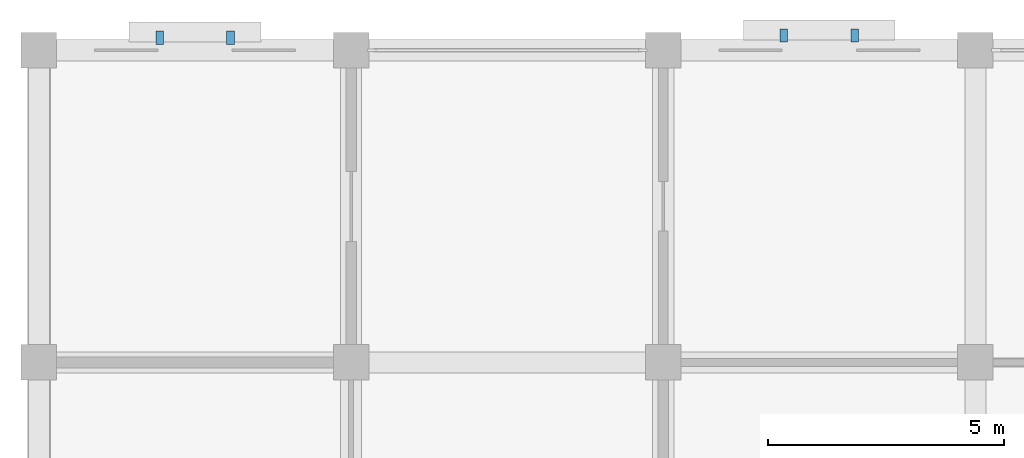
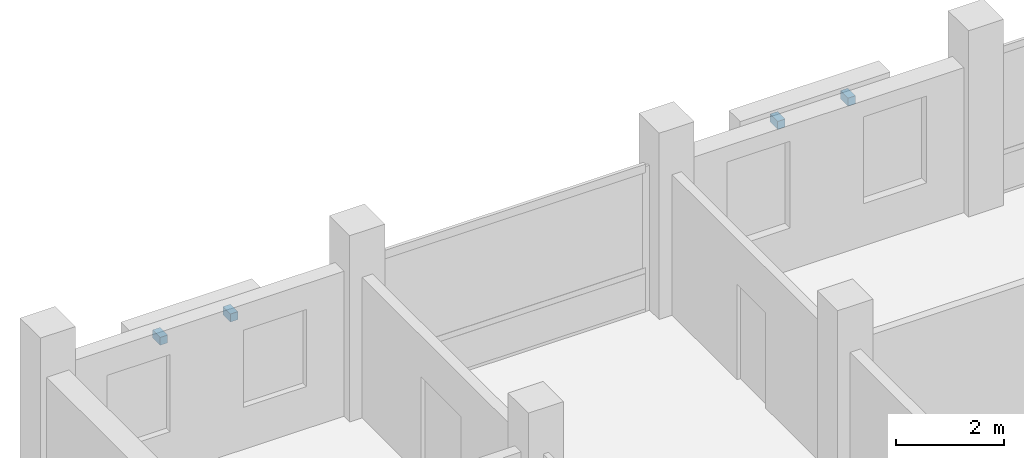
# One storey, part 16 of 18: 4 discrete accessories.
"""IFC4 building model written with IfcOpenShell, lengths in metres."""

from ifc_helpers import new_model, si_unit, direction, frame, origin, origin_2d, place, context, subcontext, project, spatial, rectangle, extrude, material, type_object, element, save


model = new_model("IFC4")

# Units and contexts
model_context = context("Model", 3, precision=1e-05, world=origin(), true_north=direction((0.0, 1.0)))
body_context = subcontext(model_context, "Body", "Model", "MODEL_VIEW")
ifc_project = project(units=[si_unit("LENGTHUNIT", "METRE"), si_unit("AREAUNIT", "SQUARE_METRE"), si_unit("VOLUMEUNIT", "CUBIC_METRE"), si_unit("PLANEANGLEUNIT", "RADIAN"), si_unit("MASSUNIT", "GRAM", prefix="KILO")], contexts=[model_context])

# Site, building, storey
site_placement = place(None, origin())
site = spatial("IfcSite", under=ifc_project, at=site_placement, CompositionType="ELEMENT")
building_placement = place(site_placement, origin())
building = spatial("IfcBuilding", under=site, at=building_placement, Name="Rusizi Kubbe Research Institute", CompositionType="ELEMENT")
storey_placement = place(building_placement, frame((0.0, 0.0, 22.800048828125)))
storey = spatial("IfcBuildingStorey", under=building, at=storey_placement, Name="L05", CompositionType="ELEMENT", Elevation=22.800048828125)

# Discrete accessories
ifc_material = material(Name="Steel S355", Category="steel")
discrete_accessory_type = type_object("IfcDiscreteAccessoryType", Name="BK-02", PredefinedType="BRACKET", material=ifc_material)
for number, where, z_axis, x_axis, name in (
    (1, (2.550048828125, 86.0625, 2.73974609375), (0.0, 0.0, 1.0), (1.0, 0.0, 0.0), "Louver Canopy Bracket 33-1"),
    (2, (4.050048828125, 86.0625, 2.73974609375), (0.0, 0.0, 1.0), (1.0, 0.0, 0.0), "Louver Canopy Bracket 33-2"),
    (3, (15.75, 86.110107421875, 2.9599609375), (0.0, 0.0, 1.0), (1.0, 0.0, 0.0), "Louver Canopy Bracket 34-1"),
    (4, (17.25, 86.110107421875, 2.9599609375), (0.0, 0.0, 1.0), (1.0, 0.0, 0.0), "Louver Canopy Bracket 34-2"),
):
    element("IfcDiscreteAccessory", number, at=place(storey_placement, frame(where, z_axis=z_axis, x_axis=x_axis)), inside=storey, type_object=discrete_accessory_type, Name=name, PredefinedType="BRACKET", context=body_context, shape_type="SweptSolid", body=[
        extrude(rectangle(XDim=0.159912109375, YDim=0.280029296875, at=origin_2d()), origin(), (0.0, 0.0, 1.0), 0.179931640625),
    ])

save(model, "model.ifc")
